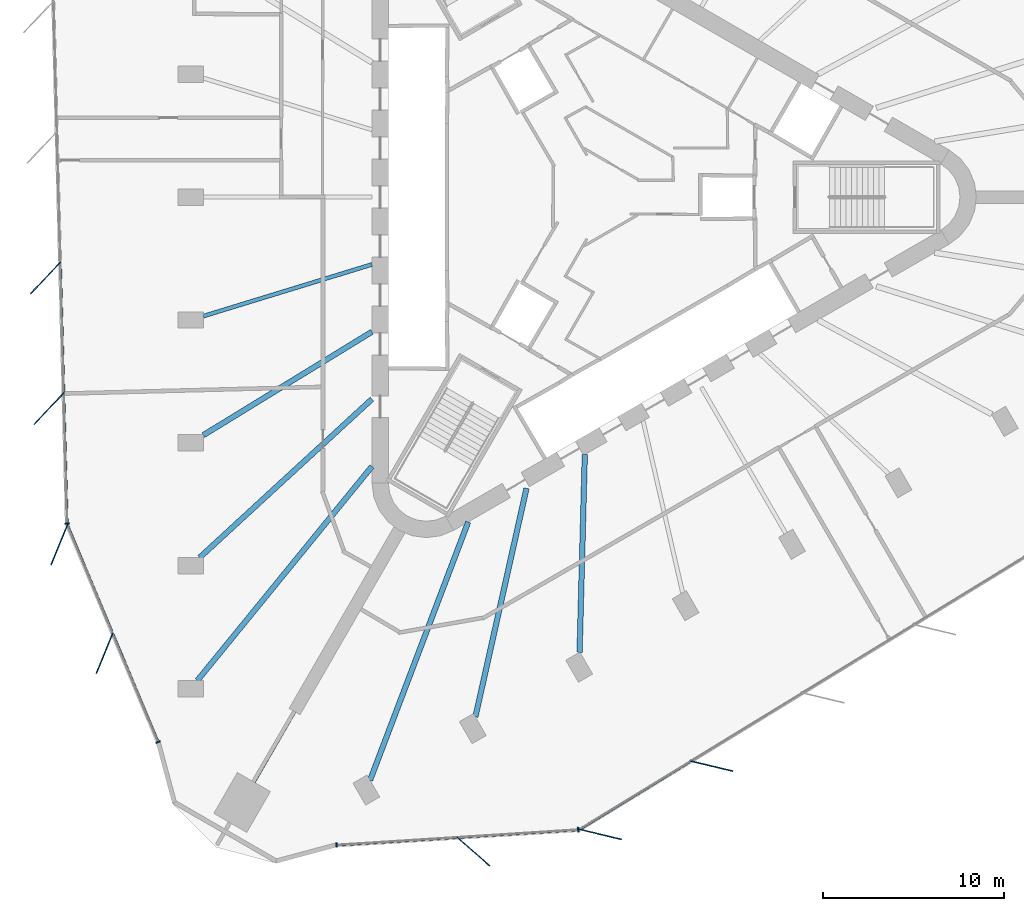
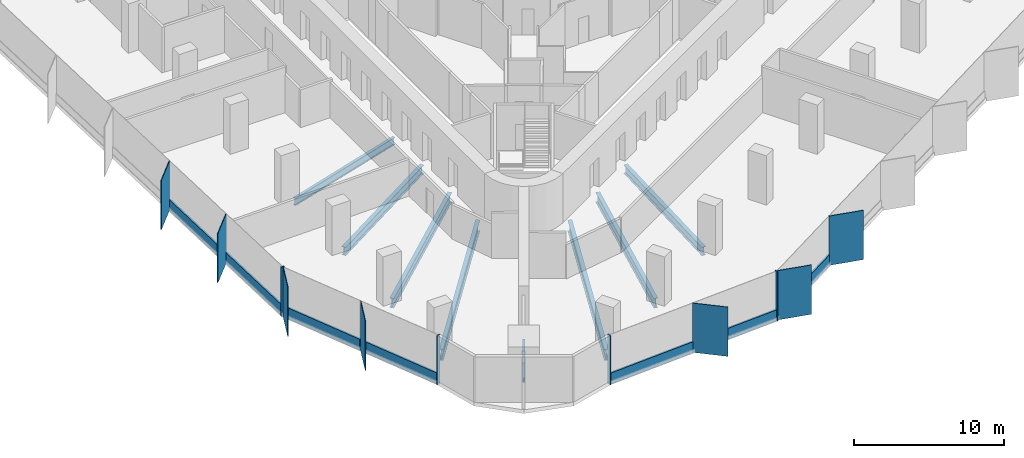
# One storey, part 2 of 14: 18 members, 8 beams, 4 elements without a shape of their own.
"""IFC4 building model written with IfcOpenShell, lengths in metres."""

from ifc_helpers import new_model, si_unit, direction, frame, origin, origin_2d, place, context, subcontext, project, spatial, rectangle, i_section, extrude, material, material_profile, profile_set, type_object, element, aggregate, save


model = new_model("IFC4")

# Units and contexts
model_context = context("Model", 3, precision=1e-05, world=origin(), true_north=direction((0.0, 1.0)))
body_context = subcontext(model_context, "Body", "Model", "MODEL_VIEW")
ifc_project = project(units=[si_unit("LENGTHUNIT", "METRE"), si_unit("AREAUNIT", "SQUARE_METRE"), si_unit("VOLUMEUNIT", "CUBIC_METRE"), si_unit("PLANEANGLEUNIT", "RADIAN"), si_unit("MASSUNIT", "GRAM", prefix="KILO")], contexts=[model_context])

# Site, building, storey
site_placement = place(None, origin())
site = spatial("IfcSite", under=ifc_project, at=site_placement, CompositionType="ELEMENT")
building_placement = place(site_placement, origin())
building = spatial("IfcBuilding", under=site, at=building_placement, Name="Tanit Gate Tower", CompositionType="ELEMENT")
storey_placement = place(building_placement, frame((0.0, 0.0, 225.199951171875)))
storey = spatial("IfcBuildingStorey", under=building, at=storey_placement, Name="L50", CompositionType="ELEMENT", Elevation=225.199951171875)

# Curtain wall, members
ifc_material_1 = material(Name="Aluminium bronze anodised and glass", Category="aluminium")
curtain_wall_type = type_object("IfcCurtainWallType", Name="Curtain wall typical mid", PredefinedType="NOTDEFINED", material=ifc_material_1)
curtain_wall_1_placement = place(storey_placement, origin())
curtain_wall_1 = element("IfcCurtainWall", 1, at=curtain_wall_1_placement, inside=storey, type_object=curtain_wall_type, Name="Curtain wall L50 W2", PredefinedType="NOTDEFINED")
ifc_material_2 = material(Name="Aluminium bronze anodised", Category="aluminium")
ifc_material_profile_1 = material_profile(ifc_material_2, rectangle(XDim=2.39990234375, YDim=0.055908203125, at=origin_2d()), Name="56x2400 bronze fin mullion")
ifc_profile_set_1 = profile_set([ifc_material_profile_1], Name="Aluminium bronze anodised")
member_type_1 = type_object("IfcMemberType", Name="FIN MULLION 56x2400 bronze", PredefinedType="MULLION", material=ifc_profile_set_1)
member_1_placement = place(storey_placement, frame((-30.085693359375, -4.4541015625, -0.300048828125), z_axis=(0.0, 0.0, 1.0), x_axis=(0.688437603131, 0.725295571884, 0.0)))
member_1 = element("IfcMember", 2, at=member_1_placement, type_object=member_type_1, Name="Fin mullion L50 W2.4", PredefinedType="MULLION", context=body_context, shape_type="SweptSolid", body=[
    extrude(rectangle(XDim=2.39990234375, YDim=0.055908203125, at=origin_2d()), origin(), (0.0, 0.0, 1.0), 4.0),
])
member_2_placement = place(storey_placement, frame((-29.898193359375, -11.651123046875, -0.300048828125), z_axis=(0.0, 0.0, 1.0), x_axis=(0.688437603131, 0.725295571884, 0.0)))
member_2 = element("IfcMember", 3, at=member_2_placement, type_object=member_type_1, Name="Fin mullion L50 W2.5", PredefinedType="MULLION", context=body_context, shape_type="SweptSolid", body=[
    extrude(rectangle(XDim=2.39990234375, YDim=0.055908203125, at=origin_2d()), origin(), (0.0, 0.0, 1.0), 4.0),
])

curtain_wall_2_placement = place(storey_placement, origin())
curtain_wall_2 = element("IfcCurtainWall", 4, at=curtain_wall_2_placement, inside=storey, type_object=curtain_wall_type, Name="Curtain wall L50 W3", PredefinedType="NOTDEFINED")
member_3_placement = place(storey_placement, frame((-29.330322265625, -19.16064453125, -0.300048828125), z_axis=(0.0, 0.0, 1.0), x_axis=(0.379912241202, 0.925022534312, 0.0)))
member_3 = element("IfcMember", 5, at=member_3_placement, type_object=member_type_1, Name="Fin mullion L50 W3.1", PredefinedType="MULLION", context=body_context, shape_type="SweptSolid", body=[
    extrude(rectangle(XDim=2.39990234375, YDim=0.055908203125, at=origin_2d()), origin(), (0.0, 0.0, 1.0), 4.0),
])
member_4_placement = place(storey_placement, frame((-26.833984375, -25.13671875, -0.300048828125), z_axis=(0.0, 0.0, 1.0), x_axis=(0.379912241202, 0.925022534312, 0.0)))
member_4 = element("IfcMember", 6, at=member_4_placement, type_object=member_type_1, Name="Fin mullion L50 W3.2", PredefinedType="MULLION", context=body_context, shape_type="SweptSolid", body=[
    extrude(rectangle(XDim=2.39990234375, YDim=0.055908203125, at=origin_2d()), origin(), (0.0, 0.0, 1.0), 4.0),
])

# Curtain wall, member
curtain_wall_3_placement = place(storey_placement, origin())
curtain_wall_3 = element("IfcCurtainWall", 7, at=curtain_wall_3_placement, inside=storey, type_object=curtain_wall_type, Name="Curtain wall L50 SE1", PredefinedType="NOTDEFINED")
member_5_placement = place(storey_placement, frame((-6.509765625, -36.059814453125, -0.300048828125), z_axis=(0.0, 0.0, 1.0), x_axis=(-0.750355268089, 0.661034773406, 0.0)))
member_5 = element("IfcMember", 8, at=member_5_placement, type_object=member_type_1, Name="Fin mullion L50 SE1.2", PredefinedType="MULLION", context=body_context, shape_type="SweptSolid", body=[
    extrude(rectangle(XDim=2.39990234375, YDim=0.055908203125, at=origin_2d()), origin(), (0.0, 0.0, 1.0), 4.0),
])

# Curtain wall, members
curtain_wall_4_placement = place(storey_placement, origin())
curtain_wall_4 = element("IfcCurtainWall", 9, at=curtain_wall_4_placement, inside=storey, type_object=curtain_wall_type, Name="Curtain wall L50 SE2", PredefinedType="NOTDEFINED")
member_6_placement = place(storey_placement, frame((0.48291015625, -35.111083984375, -0.300048828125), z_axis=(0.0, 0.0, 1.0), x_axis=(-0.97234319207, 0.23355666729, 0.0)))
member_6 = element("IfcMember", 10, at=member_6_placement, type_object=member_type_1, Name="Fin mullion L50 SE2.1", PredefinedType="MULLION", context=body_context, shape_type="SweptSolid", body=[
    extrude(rectangle(XDim=2.39990234375, YDim=0.055908203125, at=origin_2d()), origin(), (0.0, 0.0, 1.0), 4.0),
])
member_7_placement = place(storey_placement, frame((6.6220703125, -31.35009765625, -0.300048828125), z_axis=(0.0, 0.0, 1.0), x_axis=(-0.97234319207, 0.23355666729, 0.0)))
member_7 = element("IfcMember", 11, at=member_7_placement, type_object=member_type_1, Name="Fin mullion L50 SE2.2", PredefinedType="MULLION", context=body_context, shape_type="SweptSolid", body=[
    extrude(rectangle(XDim=2.39990234375, YDim=0.055908203125, at=origin_2d()), origin(), (0.0, 0.0, 1.0), 4.0),
])

# Member
ifc_material_3 = material(Name="Aluminium bronze anodised", Category="aluminium")
ifc_material_profile_2 = material_profile(ifc_material_3, rectangle(XDim=0.260009765625, YDim=0.080078125, at=origin_2d()), Name="80x260 bronze mullion")
ifc_profile_set_2 = profile_set([ifc_material_profile_2], Name="Aluminium bronze anodised")
member_type_2 = type_object("IfcMemberType", Name="Mullion 80x260 typical mid", PredefinedType="MULLION", material=ifc_profile_set_2)
member_8_placement = place(storey_placement, frame((-28.89892578125, -17.993408203125, -0.300048828125), z_axis=(0.0, 0.0, 1.0), x_axis=(0.999660314842, 0.026062519646, 0.0)))
member_8 = element("IfcMember", 12, at=member_8_placement, type_object=member_type_2, Name="Mullion L50 W2.6", PredefinedType="MULLION", context=body_context, shape_type="SweptSolid", body=[
    extrude(rectangle(XDim=0.260009765625, YDim=0.080078125, at=origin_2d()), origin(), (0.0, 0.0, 1.0), 4.0),
])

member_9_placement = place(storey_placement, frame((-23.8896484375, -30.0224609375, -0.300048828125), z_axis=(0.0, 0.0, 1.0), x_axis=(0.922728228772, 0.385451184752, 0.0)))
member_9 = element("IfcMember", 13, at=member_9_placement, type_object=member_type_2, Name="Mullion L50 W3.3", PredefinedType="MULLION", context=body_context, shape_type="SweptSolid", body=[
    extrude(rectangle(XDim=0.260009765625, YDim=0.080078125, at=origin_2d()), origin(), (0.0, 0.0, 1.0), 4.0),
])

member_10_placement = place(storey_placement, frame((-14.051513671875, -35.701904296875, -0.300048828125), z_axis=(0.0, 0.0, 1.0), x_axis=(-0.063159127489, 0.99800346924, 0.0)))
member_10 = element("IfcMember", 14, at=member_10_placement, type_object=member_type_2, Name="Mullion L50 SE1.1", PredefinedType="MULLION", context=body_context, shape_type="SweptSolid", body=[
    extrude(rectangle(XDim=0.260009765625, YDim=0.080078125, at=origin_2d()), origin(), (0.0, 0.0, 1.0), 4.0),
])

member_11_placement = place(storey_placement, frame((-0.7373046875, -34.859375, -0.300048828125), z_axis=(0.0, 0.0, 1.0), x_axis=(-0.063159127489, 0.99800346924, 0.0)))
member_11 = element("IfcMember", 15, at=member_11_placement, type_object=member_type_2, Name="Mullion L50 SE1.3", PredefinedType="MULLION", context=body_context, shape_type="SweptSolid", body=[
    extrude(rectangle(XDim=0.260009765625, YDim=0.080078125, at=origin_2d()), origin(), (0.0, 0.0, 1.0), 4.0),
])

# Beams
ifc_material_4 = material(Name="Steel S355", Category="steel")
ifc_material_profile_3 = material_profile(ifc_material_4, i_section(OverallWidth=0.300048828125, OverallDepth=0.68994140625, WebThickness=0.014404296875, FlangeThickness=0.027099609375, FilletRadius=0.027099609375, at=origin_2d()), Name="HEA 700")
ifc_profile_set_3 = profile_set([ifc_material_profile_3], Name="Steel S355")
beam_type_1 = type_object("IfcBeamType", Name="RADIAL GIRDER HEA 700 S355", PredefinedType="BEAM", material=ifc_profile_set_3)
beam_1_placement = place(storey_placement, frame((-21.38818359375, -13.11279296875, -0.64501953125), z_axis=(0.852535207667, 0.522669799863, 0.0), x_axis=(-0.522669799863, 0.852535207667, 0.0)))
element("IfcBeam", 16, at=beam_1_placement, inside=storey, type_object=beam_type_1, Name="RADIAL GIRDER", PredefinedType="BEAM", context=body_context, shape_type="SweptSolid", body=[
    extrude(i_section(OverallWidth=0.300048828125, OverallDepth=0.68994140625, WebThickness=0.014404296875, FlangeThickness=0.027099609375, FilletRadius=0.027099609375, at=origin_2d()), origin(), (0.0, 0.0, 1.0), 10.892333984375),
])
beam_2_placement = place(storey_placement, frame((-0.661865234375, -25.0791015625, -0.64501953125), z_axis=(0.026380949764, 0.99965196218, 0.0), x_axis=(-0.99965196218, 0.026380949764, 0.0)))
element("IfcBeam", 17, at=beam_2_placement, inside=storey, type_object=beam_type_1, Name="RADIAL GIRDER", PredefinedType="BEAM", context=body_context, shape_type="SweptSolid", body=[
    extrude(i_section(OverallWidth=0.300048828125, OverallDepth=0.68994140625, WebThickness=0.014404296875, FlangeThickness=0.027099609375, FilletRadius=0.027099609375, at=origin_2d()), origin(), (0.0, 0.0, 1.0), 10.892578125),
])
ifc_material_5 = material(Name="Steel S355", Category="steel")
ifc_material_profile_4 = material_profile(ifc_material_5, i_section(OverallWidth=0.300048828125, OverallDepth=0.7900390625, WebThickness=0.014892578125, FlangeThickness=0.028076171875, FilletRadius=0.030029296875, at=origin_2d()), Name="HEA 800")
ifc_profile_set_4 = profile_set([ifc_material_profile_4], Name="Steel S355")
beam_type_2 = type_object("IfcBeamType", Name="RADIAL GIRDER HEA 800 S355", PredefinedType="BEAM", material=ifc_profile_set_4)
beam_3_placement = place(storey_placement, frame((-21.598876953125, -19.86279296875, -0.695068359375), z_axis=(0.736073177965, 0.676901969772, 0.0), x_axis=(-0.676901969772, 0.736073177965, 0.0)))
element("IfcBeam", 18, at=beam_3_placement, inside=storey, type_object=beam_type_2, Name="RADIAL GIRDER", PredefinedType="BEAM", context=body_context, shape_type="SweptSolid", body=[
    extrude(i_section(OverallWidth=0.300048828125, OverallDepth=0.7900390625, WebThickness=0.014892578125, FlangeThickness=0.028076171875, FilletRadius=0.030029296875, at=origin_2d()), origin(), (0.0, 0.0, 1.0), 12.902099609375),
])
beam_4_placement = place(storey_placement, frame((-6.402587890625, -28.636474609375, -0.695068359375), z_axis=(0.218198546062, 0.975904398236, 0.0), x_axis=(-0.975904398236, 0.218198546062, 0.0)))
element("IfcBeam", 19, at=beam_4_placement, inside=storey, type_object=beam_type_2, Name="RADIAL GIRDER", PredefinedType="BEAM", context=body_context, shape_type="SweptSolid", body=[
    extrude(i_section(OverallWidth=0.300048828125, OverallDepth=0.7900390625, WebThickness=0.014892578125, FlangeThickness=0.028076171875, FilletRadius=0.030029296875, at=origin_2d()), origin(), (0.0, 0.0, 1.0), 12.90185546875),
])
ifc_material_6 = material(Name="Steel S355", Category="steel")
ifc_material_profile_5 = material_profile(ifc_material_6, i_section(OverallWidth=0.300048828125, OverallDepth=0.889892578125, WebThickness=0.01611328125, FlangeThickness=0.030029296875, FilletRadius=0.030029296875, at=origin_2d()), Name="HEA 900")
ifc_profile_set_5 = profile_set([ifc_material_profile_5], Name="Steel S355")
beam_type_3 = type_object("IfcBeamType", Name="RADIAL GIRDER HEA 900 S355", PredefinedType="BEAM", material=ifc_profile_set_5)
beam_5_placement = place(storey_placement, frame((-21.72119140625, -26.6337890625, -0.744873046875), z_axis=(0.632014947554, 0.774956196225, 0.0), x_axis=(-0.774956196225, 0.632014947554, 0.0)))
element("IfcBeam", 20, at=beam_5_placement, inside=storey, type_object=beam_type_3, Name="RADIAL GIRDER", PredefinedType="BEAM", context=body_context, shape_type="SweptSolid", body=[
    extrude(i_section(OverallWidth=0.300048828125, OverallDepth=0.889892578125, WebThickness=0.01611328125, FlangeThickness=0.030029296875, FilletRadius=0.030029296875, at=origin_2d()), origin(), (0.0, 0.0, 1.0), 15.2197265625),
])
beam_6_placement = place(storey_placement, frame((-12.205078125, -32.1279296875, -0.744873046875), z_axis=(0.355130013355, 0.934816919838, 0.0), x_axis=(-0.934816919838, 0.355130013355, 0.0)))
element("IfcBeam", 21, at=beam_6_placement, inside=storey, type_object=beam_type_3, Name="RADIAL GIRDER", PredefinedType="BEAM", context=body_context, shape_type="SweptSolid", body=[
    extrude(i_section(OverallWidth=0.300048828125, OverallDepth=0.889892578125, WebThickness=0.01611328125, FlangeThickness=0.030029296875, FilletRadius=0.030029296875, at=origin_2d()), origin(), (0.0, 0.0, 1.0), 15.219970703125),
])
ifc_material_7 = material(Name="Steel S355", Category="steel")
ifc_material_profile_6 = material_profile(ifc_material_7, i_section(OverallWidth=0.179931640625, OverallDepth=0.39990234375, WebThickness=0.008544921875, FlangeThickness=0.013427734375, FilletRadius=0.02099609375, at=origin_2d()), Name="IPE 400")
ifc_profile_set_6 = profile_set([ifc_material_profile_6], Name="Steel S355")
beam_type_4 = type_object("IfcBeamType", Name="RADIAL GIRDER IPE 400 S355", PredefinedType="BEAM", material=ifc_profile_set_6)
beam_7_placement = place(storey_placement, frame((-18.607666015625, -32.2294921875, -0.5), z_axis=(0.500003645003, 0.866023299331, 0.0), x_axis=(-0.866023299331, 0.500003645003, 0.0)))
element("IfcBeam", 22, at=beam_7_placement, inside=storey, type_object=beam_type_4, Name="RADIAL GIRDER", PredefinedType="BEAM", context=body_context, shape_type="SweptSolid", body=[
    extrude(i_section(OverallWidth=0.179931640625, OverallDepth=0.39990234375, WebThickness=0.008544921875, FlangeThickness=0.013427734375, FilletRadius=0.02099609375, at=origin_2d()), origin(), (0.0, 0.0, 1.0), 4.484375),
])
ifc_material_8 = material(Name="Steel S355", Category="steel")
ifc_material_profile_7 = material_profile(ifc_material_8, i_section(OverallWidth=0.219970703125, OverallDepth=0.60009765625, WebThickness=0.011962890625, FlangeThickness=0.01904296875, FilletRadius=0.02392578125, at=origin_2d()), Name="IPE 600")
ifc_profile_set_7 = profile_set([ifc_material_profile_7], Name="Steel S355")
beam_type_5 = type_object("IfcBeamType", Name="RADIAL GIRDER IPE 600 S355", PredefinedType="BEAM", material=ifc_profile_set_7)
beam_8_placement = place(storey_placement, frame((-21.38818359375, -6.556396484375, -0.599853515625), z_axis=(0.956085016758, 0.293089475639, 0.0), x_axis=(-0.293089475639, 0.956085016758, 0.0)))
element("IfcBeam", 23, at=beam_8_placement, inside=storey, type_object=beam_type_5, Name="RADIAL GIRDER", PredefinedType="BEAM", context=body_context, shape_type="SweptSolid", body=[
    extrude(i_section(OverallWidth=0.219970703125, OverallDepth=0.60009765625, WebThickness=0.011962890625, FlangeThickness=0.01904296875, FilletRadius=0.02392578125, at=origin_2d()), origin(), (0.0, 0.0, 1.0), 9.712646484375),
])

# Member
ifc_material_9 = material(Name="Aluminium bronze anodised", Category="aluminium")
ifc_material_profile_8 = material_profile(ifc_material_9, rectangle(XDim=0.139892578125, YDim=0.89990234375, at=origin_2d()), Name="140x900 bronze transom")
ifc_profile_set_8 = profile_set([ifc_material_profile_8], Name="Aluminium bronze anodised")
member_type_3 = type_object("IfcMemberType", Name="Transom 140x900 typical mid", PredefinedType="USERDEFINED", material=ifc_profile_set_8)
member_12_placement = place(storey_placement, frame((-29.273193359375, -3.63916015625, 0.150146484375), z_axis=(0.026061397555, -0.999660344096, 0.0), x_axis=(0.999660344096, 0.026061397555, 0.0)))
member_12 = element("IfcMember", 24, at=member_12_placement, type_object=member_type_3, Name="Transom L50 W2.4", ObjectType="TRANSOM", PredefinedType="USERDEFINED", context=body_context, shape_type="SweptSolid", body=[
    extrude(rectangle(XDim=0.139892578125, YDim=0.89990234375, at=origin_2d()), origin(), (0.0, 0.0, 1.0), 7.11962890625),
])

member_13_placement = place(storey_placement, frame((-29.08544921875, -10.836181640625, 0.150146484375), z_axis=(0.026061397555, -0.999660344096, 0.0), x_axis=(0.999660344096, 0.026061397555, 0.0)))
member_13 = element("IfcMember", 25, at=member_13_placement, type_object=member_type_3, Name="Transom L50 W2.5", ObjectType="TRANSOM", PredefinedType="USERDEFINED", context=body_context, shape_type="SweptSolid", body=[
    extrude(rectangle(XDim=0.139892578125, YDim=0.89990234375, at=origin_2d()), origin(), (0.0, 0.0, 1.0), 7.11962890625),
])

aggregate(curtain_wall_1, [member_1, member_2, member_8, member_12, member_13])

member_14_placement = place(storey_placement, frame((-28.866943359375, -18.107177734375, 0.150146484375), z_axis=(0.385449935918, -0.922728750447, 0.0), x_axis=(0.922728750447, 0.385449935918, 0.0)))
member_14 = element("IfcMember", 26, at=member_14_placement, type_object=member_type_3, Name="Transom L50 W3.1", ObjectType="TRANSOM", PredefinedType="USERDEFINED", context=body_context, shape_type="SweptSolid", body=[
    extrude(rectangle(XDim=0.139892578125, YDim=0.89990234375, at=origin_2d()), origin(), (0.0, 0.0, 1.0), 6.396728515625),
])

member_15_placement = place(storey_placement, frame((-26.37060546875, -24.083251953125, 0.150146484375), z_axis=(0.385449935918, -0.922728750447, 0.0), x_axis=(0.922728750447, 0.385449935918, 0.0)))
member_15 = element("IfcMember", 27, at=member_15_placement, type_object=member_type_3, Name="Transom L50 W3.2", ObjectType="TRANSOM", PredefinedType="USERDEFINED", context=body_context, shape_type="SweptSolid", body=[
    extrude(rectangle(XDim=0.139892578125, YDim=0.89990234375, at=origin_2d()), origin(), (0.0, 0.0, 1.0), 6.396728515625),
])

aggregate(curtain_wall_2, [member_3, member_4, member_9, member_14, member_15])

member_16_placement = place(storey_placement, frame((-14.011474609375, -35.699462890625, 0.150146484375), z_axis=(0.998003260948, 0.063162418705, 0.0), x_axis=(-0.063162418705, 0.998003260948, 0.0)))
member_16 = element("IfcMember", 28, at=member_16_placement, type_object=member_type_3, Name="Transom L50 SE1.1", ObjectType="TRANSOM", PredefinedType="USERDEFINED", context=body_context, shape_type="SweptSolid", body=[
    extrude(rectangle(XDim=0.139892578125, YDim=0.89990234375, at=origin_2d()), origin(), (0.0, 0.0, 1.0), 6.59033203125),
])

member_17_placement = place(storey_placement, frame((-7.3544921875, -35.278076171875, 0.150146484375), z_axis=(0.998003408732, 0.063160083586, 0.0), x_axis=(-0.063160083586, 0.998003408732, 0.0)))
member_17 = element("IfcMember", 29, at=member_17_placement, type_object=member_type_3, Name="Transom L50 SE1.2", ObjectType="TRANSOM", PredefinedType="USERDEFINED", context=body_context, shape_type="SweptSolid", body=[
    extrude(rectangle(XDim=0.139892578125, YDim=0.89990234375, at=origin_2d()), origin(), (0.0, 0.0, 1.0), 6.590576171875),
])

aggregate(curtain_wall_3, [member_10, member_5, member_11, member_16, member_17])

member_18_placement = place(storey_placement, frame((-0.629150390625, -34.81494140625, 0.150146484375), z_axis=(0.852699806703, 0.522401224777, 0.0), x_axis=(-0.522401224777, 0.852699806703, 0.0)))
member_18 = element("IfcMember", 30, at=member_18_placement, type_object=member_type_3, Name="Transom L50 SE2.1", ObjectType="TRANSOM", PredefinedType="USERDEFINED", context=body_context, shape_type="SweptSolid", body=[
    extrude(rectangle(XDim=0.139892578125, YDim=0.89990234375, at=origin_2d()), origin(), (0.0, 0.0, 1.0), 7.119384765625),
])

aggregate(curtain_wall_4, [member_6, member_7, member_18])

save(model, "model.ifc")
